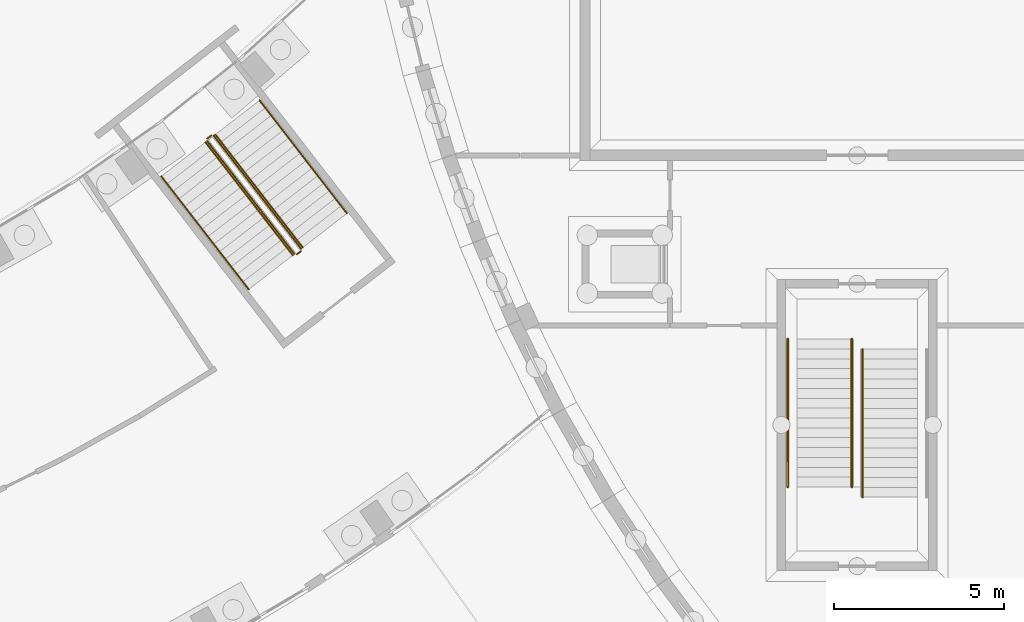
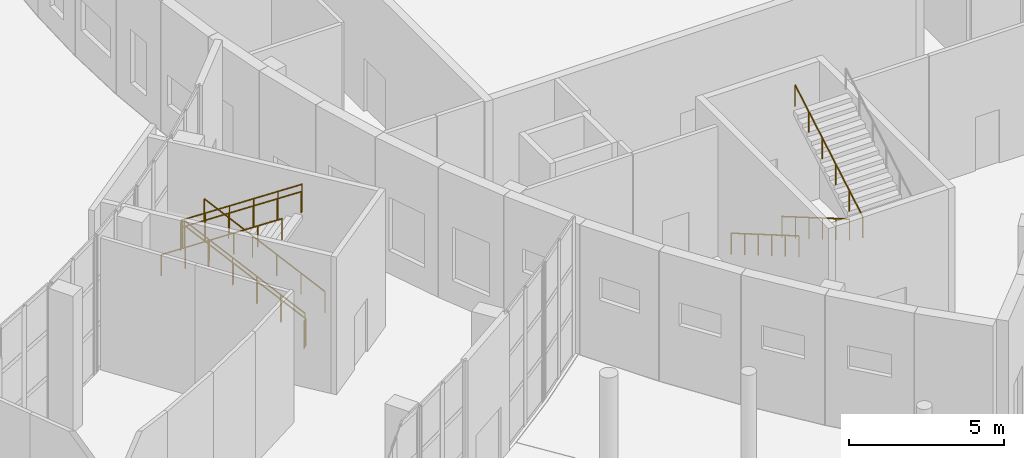
# One storey, part 74 of 82: 11 railings.
"""IFC4 building model written with IfcOpenShell, lengths in metres."""

from ifc_helpers import new_model, si_unit, direction, frame, origin, origin_2d, place, context, subcontext, project, spatial, circle, extrude, material, type_object, element, save


model = new_model("IFC4")

# Units and contexts
model_context = context("Model", 3, precision=1e-05, world=origin(), true_north=direction((0.0, 1.0)))
body_context = subcontext(model_context, "Body", "Model", "MODEL_VIEW")
ifc_project = project(units=[si_unit("LENGTHUNIT", "METRE"), si_unit("AREAUNIT", "SQUARE_METRE"), si_unit("VOLUMEUNIT", "CUBIC_METRE"), si_unit("PLANEANGLEUNIT", "RADIAN"), si_unit("MASSUNIT", "GRAM", prefix="KILO")], contexts=[model_context])

# Site, building, storey
site_placement = place(None, origin())
site = spatial("IfcSite", under=ifc_project, at=site_placement, CompositionType="ELEMENT")
building_placement = place(site_placement, origin())
building = spatial("IfcBuilding", under=site, at=building_placement, Name="Tide Square Theatres", CompositionType="ELEMENT")
storey_placement = place(building_placement, origin())
storey = spatial("IfcBuildingStorey", under=building, at=storey_placement, Name="L00", CompositionType="ELEMENT", Elevation=0.0)

# Railings
ifc_material_1 = material(Name="Painted steel", Category="steel")
railing_type_1 = type_object("IfcRailingType", Name="Steel guard 1100", PredefinedType="GUARDRAIL", material=ifc_material_1)
railing_1_placement = place(storey_placement, frame((115.658935546875, 27.25341796875, 0.168701171875)))
element("IfcRailing", 1, at=railing_1_placement, inside=storey, type_object=railing_type_1, Name="L00 F2 stair guard 1", PredefinedType="GUARDRAIL", context=body_context, shape_type="SweptSolid", body=[
    extrude(circle(Radius=0.02392578125, at=origin_2d()), frame((0.0, 0.0, 1.076171875), z_axis=(-0.523852252399, 0.677592582698, 0.516185150435), x_axis=(-0.791139242166, -0.611636084208, 0.0)), (0.0, 0.0, 1.0), 4.90380859375),
    extrude(circle(Radius=0.02099609375, at=origin_2d()), origin(), (0.0, 0.0, 1.0), 1.052001953125),
    extrude(circle(Radius=0.02099609375, at=origin_2d()), frame((-0.513671875, 0.66455078125, 0.50634765625)), (0.0, 0.0, 1.0), 1.052001953125),
    extrude(circle(Radius=0.02099609375, at=origin_2d()), frame((-1.027587890625, 1.3291015625, 1.012451171875)), (0.0, 0.0, 1.0), 1.052001953125),
    extrude(circle(Radius=0.02099609375, at=origin_2d()), frame((-1.541259765625, 1.99365234375, 1.518798828125)), (0.0, 0.0, 1.0), 1.052001953125),
    extrude(circle(Radius=0.02099609375, at=origin_2d()), frame((-2.05517578125, 2.658203125, 2.02490234375)), (0.0, 0.0, 1.0), 1.052001953125),
    extrude(circle(Radius=0.02099609375, at=origin_2d()), frame((-2.56884765625, 3.32275390625, 2.53125)), (0.0, 0.0, 1.0), 1.052001953125),
])
railing_2_placement = place(storey_placement, frame((113.02001953125, 30.585205078125, 2.699951171875)))
element("IfcRailing", 2, at=railing_2_placement, inside=storey, type_object=railing_type_1, Name="L00 F2 stair guard 2", PredefinedType="GUARDRAIL", context=body_context, shape_type="SweptSolid", body=[
    extrude(circle(Radius=0.02392578125, at=origin_2d()), frame((0.0, 0.0, 1.076171875), z_axis=(-0.791535147472, -0.611123645686, 0.0), x_axis=(0.611123645686, -0.791535147472, 0.0)), (0.0, 0.0, 1.0), 0.150146484375),
    extrude(circle(Radius=0.02099609375, at=origin_2d()), origin(), (0.0, 0.0, 1.0), 1.052001953125),
    extrude(circle(Radius=0.02099609375, at=origin_2d()), frame((-0.118896484375, -0.091796875, 0.0)), (0.0, 0.0, 1.0), 1.052001953125),
])
railing_3_placement = place(storey_placement, frame((112.892333984375, 30.42333984375, 2.86865234375)))
element("IfcRailing", 3, at=railing_3_placement, inside=storey, type_object=railing_type_1, Name="L00 F2 stair guard 3", PredefinedType="GUARDRAIL", context=body_context, shape_type="SweptSolid", body=[
    extrude(circle(Radius=0.02392578125, at=origin_2d()), frame((0.0, 0.0, 1.076171875), z_axis=(0.523834580551, -0.677619509208, 0.516167737232), x_axis=(0.791160986747, 0.611607956987, 0.0)), (0.0, 0.0, 1.0), 4.90380859375),
    extrude(circle(Radius=0.02099609375, at=origin_2d()), origin(), (0.0, 0.0, 1.0), 1.052001953125),
    extrude(circle(Radius=0.02099609375, at=origin_2d()), frame((0.513671875, -0.66455078125, 0.50634765625)), (0.0, 0.0, 1.0), 1.052001953125),
    extrude(circle(Radius=0.02099609375, at=origin_2d()), frame((1.027587890625, -1.3291015625, 1.012451171875)), (0.0, 0.0, 1.0), 1.052001953125),
    extrude(circle(Radius=0.02099609375, at=origin_2d()), frame((1.541259765625, -1.993896484375, 1.518798828125)), (0.0, 0.0, 1.0), 1.052001953125),
    extrude(circle(Radius=0.02099609375, at=origin_2d()), frame((2.05517578125, -2.658447265625, 2.02490234375)), (0.0, 0.0, 1.0), 1.052001953125),
    extrude(circle(Radius=0.02099609375, at=origin_2d()), frame((2.56884765625, -3.322998046875, 2.53125)), (0.0, 0.0, 1.0), 1.052001953125),
])
railing_4_placement = place(storey_placement, frame((115.64990234375, 27.18310546875, 0.0)))
element("IfcRailing", 4, at=railing_4_placement, inside=storey, type_object=railing_type_1, Name="L00 F2 stair guard 4", PredefinedType="GUARDRAIL", context=body_context, shape_type="SweptSolid", body=[
    extrude(circle(Radius=0.02392578125, at=origin_2d()), frame((0.0, 0.0, 1.076171875), z_axis=(-0.791714721321, -0.610890988674, 0.0), x_axis=(0.610890988674, -0.791714721321, 0.0)), (0.0, 0.0, 1.0), 0.14990234375),
    extrude(circle(Radius=0.02099609375, at=origin_2d()), origin(), (0.0, 0.0, 1.0), 1.052001953125),
    extrude(circle(Radius=0.02099609375, at=origin_2d()), frame((-0.11865234375, -0.091552734375, 0.0)), (0.0, 0.0, 1.0), 1.052001953125),
])
ifc_material_2 = material(Name="Painted steel", Category="steel")
railing_type_2 = type_object("IfcRailingType", Name="Steel handrail 850", PredefinedType="HANDRAIL", material=ifc_material_2)
for number, where, name in (
    (5, (129.9599609375, 24.60009765625, 0.168701171875), "Stair handrail 2"),
    (6, (131.840087890625, 24.60009765625, 0.168701171875), "Stair handrail 2"),
):
    element("IfcRailing", number, at=place(storey_placement, frame(where)), inside=storey, type_object=railing_type_2, Name=name, PredefinedType="HANDRAIL", context=body_context, shape_type="SweptSolid", body=[
        extrude(circle(Radius=0.02490234375, at=origin_2d()), frame((0.0, 0.0, 0.8251953125), z_axis=(0.0, -0.864323800911, 0.50293574856), x_axis=(1.0, 0.0, 0.0)), (0.0, 0.0, 1.0), 5.032958984375),
        extrude(circle(Radius=0.02001953125, at=origin_2d()), origin(), (0.0, 0.0, 1.0), 0.800048828125),
        extrude(circle(Radius=0.02001953125, at=origin_2d()), frame((0.0, -0.8701171875, 0.50634765625)), (0.0, 0.0, 1.0), 0.800048828125),
        extrude(circle(Radius=0.02001953125, at=origin_2d()), frame((0.0, -1.739990234375, 1.012451171875)), (0.0, 0.0, 1.0), 0.800048828125),
        extrude(circle(Radius=0.02001953125, at=origin_2d()), frame((0.0, -2.610107421875, 1.518798828125)), (0.0, 0.0, 1.0), 0.800048828125),
        extrude(circle(Radius=0.02001953125, at=origin_2d()), frame((0.0, -3.47998046875, 2.02490234375)), (0.0, 0.0, 1.0), 0.800048828125),
        extrude(circle(Radius=0.02001953125, at=origin_2d()), frame((0.0, -4.35009765625, 2.53125)), (0.0, 0.0, 1.0), 0.800048828125),
    ])
railing_5_placement = place(storey_placement, frame((132.159912109375, 19.951904296875, 2.86865234375)))
element("IfcRailing", 7, at=railing_5_placement, inside=storey, type_object=railing_type_2, Name="Stair handrail 2", PredefinedType="HANDRAIL", context=body_context, shape_type="SweptSolid", body=[
    extrude(circle(Radius=0.02490234375, at=origin_2d()), frame((0.0, 0.0, 0.8251953125), z_axis=(0.0, 0.864311530196, 0.502956835891), x_axis=(-1.0, 0.0, 0.0)), (0.0, 0.0, 1.0), 5.03271484375),
    extrude(circle(Radius=0.02001953125, at=origin_2d()), origin(), (0.0, 0.0, 1.0), 0.800048828125),
    extrude(circle(Radius=0.02001953125, at=origin_2d()), frame((0.0, 0.869873046875, 0.50634765625)), (0.0, 0.0, 1.0), 0.800048828125),
    extrude(circle(Radius=0.02001953125, at=origin_2d()), frame((0.0, 1.739990234375, 1.012451171875)), (0.0, 0.0, 1.0), 0.800048828125),
    extrude(circle(Radius=0.02001953125, at=origin_2d()), frame((0.0, 2.60986328125, 1.518798828125)), (0.0, 0.0, 1.0), 0.800048828125),
    extrude(circle(Radius=0.02001953125, at=origin_2d()), frame((0.0, 3.47998046875, 2.02490234375)), (0.0, 0.0, 1.0), 0.800048828125),
    extrude(circle(Radius=0.02001953125, at=origin_2d()), frame((0.0, 4.349853515625, 2.53125)), (0.0, 0.0, 1.0), 0.800048828125),
])
for number, where, name in (
    (8, (117.00390625, 28.293212890625, 0.168701171875), "L00 F2 stair handrail 1"),
    (9, (115.706298828125, 27.2900390625, 0.168701171875), "L00 F2 stair handrail 2"),
):
    element("IfcRailing", number, at=place(storey_placement, frame(where)), inside=storey, type_object=railing_type_2, Name=name, PredefinedType="HANDRAIL", context=body_context, shape_type="SweptSolid", body=[
        extrude(circle(Radius=0.02392578125, at=origin_2d()), frame((0.0, 0.0, 0.826171875), z_axis=(-0.523852252399, 0.677592582698, 0.516185150435), x_axis=(-0.791139242166, -0.611636084208, 0.0)), (0.0, 0.0, 1.0), 4.90380859375),
        extrude(circle(Radius=0.02099609375, at=origin_2d()), origin(), (0.0, 0.0, 1.0), 0.802001953125),
        extrude(circle(Radius=0.02099609375, at=origin_2d()), frame((-0.513671875, 0.66455078125, 0.50634765625)), (0.0, 0.0, 1.0), 0.802001953125),
        extrude(circle(Radius=0.02099609375, at=origin_2d()), frame((-1.027587890625, 1.3291015625, 1.012451171875)), (0.0, 0.0, 1.0), 0.802001953125),
        extrude(circle(Radius=0.02099609375, at=origin_2d()), frame((-1.541259765625, 1.99365234375, 1.518798828125)), (0.0, 0.0, 1.0), 0.802001953125),
        extrude(circle(Radius=0.02099609375, at=origin_2d()), frame((-2.05517578125, 2.658203125, 2.02490234375)), (0.0, 0.0, 1.0), 0.802001953125),
        extrude(circle(Radius=0.02099609375, at=origin_2d()), frame((-2.56884765625, 3.32275390625, 2.53125)), (0.0, 0.0, 1.0), 0.802001953125),
    ])
railing_6_placement = place(storey_placement, frame((111.54736328125, 29.383544921875, 2.86865234375)))
element("IfcRailing", 10, at=railing_6_placement, inside=storey, type_object=railing_type_2, Name="L00 F2 stair handrail 3", PredefinedType="HANDRAIL", context=body_context, shape_type="SweptSolid", body=[
    extrude(circle(Radius=0.02392578125, at=origin_2d()), frame((0.0, 0.0, 0.826171875), z_axis=(0.523834580551, -0.677619509208, 0.516167737232), x_axis=(0.791160986747, 0.611607956987, 0.0)), (0.0, 0.0, 1.0), 4.90380859375),
    extrude(circle(Radius=0.02099609375, at=origin_2d()), origin(), (0.0, 0.0, 1.0), 0.802001953125),
    extrude(circle(Radius=0.02099609375, at=origin_2d()), frame((0.513671875, -0.66455078125, 0.50634765625)), (0.0, 0.0, 1.0), 0.802001953125),
    extrude(circle(Radius=0.02099609375, at=origin_2d()), frame((1.027587890625, -1.3291015625, 1.012451171875)), (0.0, 0.0, 1.0), 0.802001953125),
    extrude(circle(Radius=0.02099609375, at=origin_2d()), frame((1.541259765625, -1.993896484375, 1.518798828125)), (0.0, 0.0, 1.0), 0.802001953125),
    extrude(circle(Radius=0.02099609375, at=origin_2d()), frame((2.05517578125, -2.658447265625, 2.02490234375)), (0.0, 0.0, 1.0), 0.802001953125),
    extrude(circle(Radius=0.02099609375, at=origin_2d()), frame((2.56884765625, -3.322998046875, 2.53125)), (0.0, 0.0, 1.0), 0.802001953125),
])
railing_7_placement = place(storey_placement, frame((112.8447265625, 30.386474609375, 2.86865234375)))
element("IfcRailing", 11, at=railing_7_placement, inside=storey, type_object=railing_type_2, Name="L00 F2 stair handrail 4", PredefinedType="HANDRAIL", context=body_context, shape_type="SweptSolid", body=[
    extrude(circle(Radius=0.02392578125, at=origin_2d()), frame((0.0, 0.0, 0.826171875), z_axis=(0.523852252399, -0.677592582698, 0.516185150435), x_axis=(0.791139242166, 0.611636084208, 0.0)), (0.0, 0.0, 1.0), 4.90380859375),
    extrude(circle(Radius=0.02099609375, at=origin_2d()), origin(), (0.0, 0.0, 1.0), 0.802001953125),
    extrude(circle(Radius=0.02099609375, at=origin_2d()), frame((0.513671875, -0.66455078125, 0.50634765625)), (0.0, 0.0, 1.0), 0.802001953125),
    extrude(circle(Radius=0.02099609375, at=origin_2d()), frame((1.027587890625, -1.3291015625, 1.012451171875)), (0.0, 0.0, 1.0), 0.802001953125),
    extrude(circle(Radius=0.02099609375, at=origin_2d()), frame((1.541259765625, -1.99365234375, 1.518798828125)), (0.0, 0.0, 1.0), 0.802001953125),
    extrude(circle(Radius=0.02099609375, at=origin_2d()), frame((2.05517578125, -2.658203125, 2.02490234375)), (0.0, 0.0, 1.0), 0.802001953125),
    extrude(circle(Radius=0.02099609375, at=origin_2d()), frame((2.56884765625, -3.32275390625, 2.53125)), (0.0, 0.0, 1.0), 0.802001953125),
])

save(model, "model.ifc")
